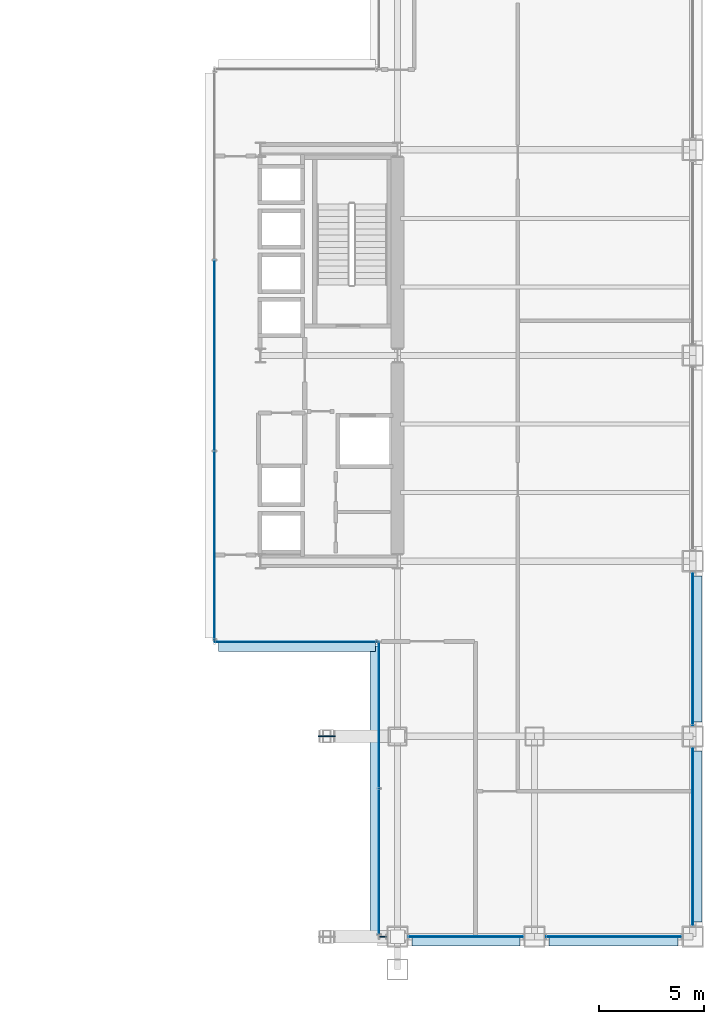
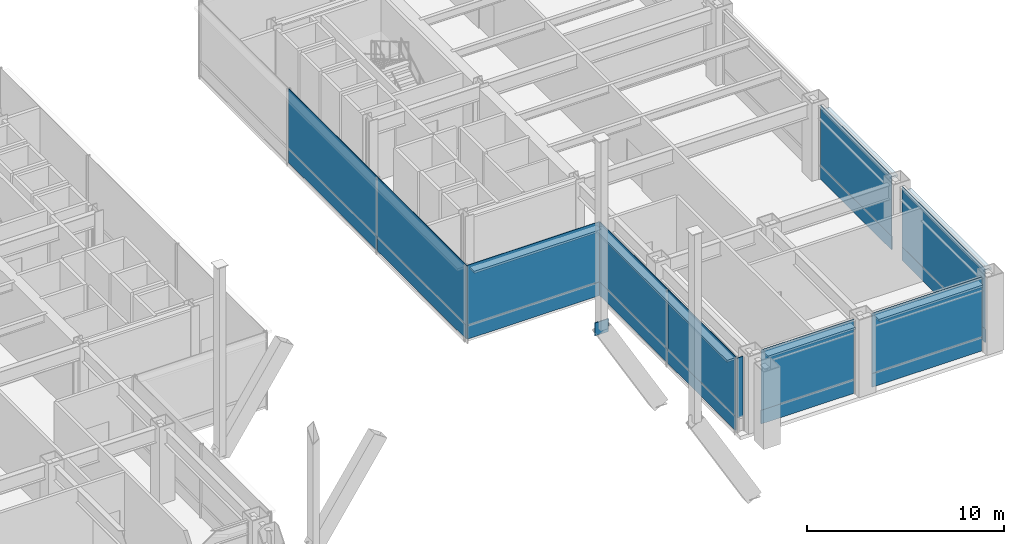
# One storey, part 29 of 40: 26 plates, 8 elements without a shape of their own.
"""IFC4 building model written with IfcOpenShell, lengths in metres."""

from ifc_helpers import new_model, si_unit, direction, frame, origin, origin_2d, place, context, subcontext, project, spatial, rectangle, extrude, material, layer, layer_set, type_object, element, aggregate, save


model = new_model("IFC4")

# Units and contexts
model_context = context("Model", 3, precision=1e-05, world=origin(), true_north=direction((0.0, 1.0)))
body_context = subcontext(model_context, "Body", "Model", "MODEL_VIEW")
ifc_project = project(units=[si_unit("LENGTHUNIT", "METRE"), si_unit("AREAUNIT", "SQUARE_METRE"), si_unit("VOLUMEUNIT", "CUBIC_METRE"), si_unit("PLANEANGLEUNIT", "RADIAN"), si_unit("MASSUNIT", "GRAM", prefix="KILO")], contexts=[model_context])

# Site, building, storey
site_placement = place(None, origin())
site = spatial("IfcSite", under=ifc_project, at=site_placement, CompositionType="ELEMENT")
building_placement = place(site_placement, origin())
building = spatial("IfcBuilding", under=site, at=building_placement, Name="Brelmoor Portico Tower", CompositionType="ELEMENT")
storey_placement = place(building_placement, frame((0.0, 0.0, 4.800048828125)))
storey = spatial("IfcBuildingStorey", under=building, at=storey_placement, Name="L01", CompositionType="ELEMENT", Elevation=4.800048828125)

# Curtain wall, plate
ifc_material_1 = material(Name="Anodised Aluminium Alloy 6063-T6", Category="aluminium")
ifc_layer_1 = layer(ifc_material_1, 0.179931640625)
ifc_layer_set_1 = layer_set([ifc_layer_1], Name="Anodised Aluminium Alloy 6063-T6")
curtain_wall_type = type_object("IfcCurtainWallType", Name="CW-PODIUM-ARCH", PredefinedType="NOTDEFINED", material=ifc_layer_set_1)
curtain_wall_1_placement = place(storey_placement, origin())
curtain_wall_1 = element("IfcCurtainWall", 1, at=curtain_wall_1_placement, inside=storey, type_object=curtain_wall_type, Name="L01 Curtain Wall CW-L01-02-1", PredefinedType="NOTDEFINED")
ifc_material_2 = material(Name="Double-Silver Low-E Insulated Glazing", Category="glass")
ifc_layer_2 = layer(ifc_material_2, 0.035888671875)
ifc_layer_set_2 = layer_set([ifc_layer_2], Name="Double-Silver Low-E Insulated Glazing")
plate_type_1 = type_object("IfcPlateType", Name="PT-CW-GLASS", PredefinedType="CURTAIN_PANEL", material=ifc_layer_set_2)
plate_1_placement = place(storey_placement, frame((13.860107421875, -27.550048828125, 0.849853515625), z_axis=(0.0, 0.0, 1.0), x_axis=(1.0, 0.0, 0.0)))
plate_1 = element("IfcPlate", 2, at=plate_1_placement, type_object=plate_type_1, Name="CW-L01-02-1 Vision Glass Panel 00", PredefinedType="CURTAIN_PANEL", context=body_context, shape_type="SweptSolid", body=[
    extrude(rectangle(XDim=0.330078125, YDim=0.035888671875, at=origin_2d()), origin(), (0.0, 0.0, 1.0), 3.72998046875),
])
aggregate(curtain_wall_1, [plate_1])

curtain_wall_2_placement = place(storey_placement, origin())
curtain_wall_2 = element("IfcCurtainWall", 3, at=curtain_wall_2_placement, inside=storey, type_object=curtain_wall_type, Name="L01 Curtain Wall CW-L01-02-2", PredefinedType="NOTDEFINED")
plate_2_placement = place(storey_placement, frame((17.800048828125, -27.550048828125, 0.849853515625), z_axis=(0.0, 0.0, 1.0), x_axis=(1.0, 0.0, 0.0)))
plate_2 = element("IfcPlate", 4, at=plate_2_placement, type_object=plate_type_1, Name="CW-L01-02-2 Vision Glass Panel 00", PredefinedType="CURTAIN_PANEL", context=body_context, shape_type="SweptSolid", body=[
    extrude(rectangle(XDim=5.449951171875, YDim=0.035888671875, at=origin_2d()), origin(), (0.0, 0.0, 1.0), 3.72998046875),
])

curtain_wall_3_placement = place(storey_placement, origin())
curtain_wall_3 = element("IfcCurtainWall", 5, at=curtain_wall_3_placement, inside=storey, type_object=curtain_wall_type, Name="L01 Curtain Wall CW-L01-02-3", PredefinedType="NOTDEFINED")
plate_3_placement = place(storey_placement, frame((24.800048828125, -27.550048828125, 0.849853515625), z_axis=(0.0, 0.0, 1.0), x_axis=(1.0, 0.0, 0.0)))
plate_3 = element("IfcPlate", 6, at=plate_3_placement, type_object=plate_type_1, Name="CW-L01-02-3 Vision Glass Panel 00", PredefinedType="CURTAIN_PANEL", context=body_context, shape_type="SweptSolid", body=[
    extrude(rectangle(XDim=6.449951171875, YDim=0.035888671875, at=origin_2d()), origin(), (0.0, 0.0, 1.0), 3.72998046875),
])

curtain_wall_4_placement = place(storey_placement, origin())
curtain_wall_4 = element("IfcCurtainWall", 7, at=curtain_wall_4_placement, inside=storey, type_object=curtain_wall_type, Name="L01 Curtain Wall CW-L01-06-1", PredefinedType="NOTDEFINED")
plate_4_placement = place(storey_placement, frame((28.550048828125, -22.800048828125, 0.849853515625), z_axis=(0.0, 0.0, 1.0), x_axis=(0.0, 1.0, 0.0)))
plate_4 = element("IfcPlate", 8, at=plate_4_placement, type_object=plate_type_1, Name="CW-L01-06-1 Vision Glass Panel 00", PredefinedType="CURTAIN_PANEL", context=body_context, shape_type="SweptSolid", body=[
    extrude(rectangle(XDim=8.449951171875, YDim=0.035888671875, at=origin_2d()), origin(), (0.0, 0.0, 1.0), 3.72998046875),
])

curtain_wall_5_placement = place(storey_placement, origin())
curtain_wall_5 = element("IfcCurtainWall", 9, at=curtain_wall_5_placement, inside=storey, type_object=curtain_wall_type, Name="L01 Curtain Wall CW-L01-06-2", PredefinedType="NOTDEFINED")
plate_5_placement = place(storey_placement, frame((28.550048828125, -13.89990234375, 0.849853515625), z_axis=(0.0, 0.0, 1.0), x_axis=(0.0, 1.0, 0.0)))
plate_5 = element("IfcPlate", 10, at=plate_5_placement, type_object=plate_type_1, Name="CW-L01-06-2 Vision Glass Panel 00", PredefinedType="CURTAIN_PANEL", context=body_context, shape_type="SweptSolid", body=[
    extrude(rectangle(XDim=7.25, YDim=0.035888671875, at=origin_2d()), origin(), (0.0, 0.0, 1.0), 3.72998046875),
])

# Curtain wall, plates
curtain_wall_6_placement = place(storey_placement, origin())
curtain_wall_6 = element("IfcCurtainWall", 11, at=curtain_wall_6_placement, inside=storey, type_object=curtain_wall_type, Name="L01 Curtain Wall CW-L01-08", PredefinedType="NOTDEFINED")
plate_6_placement = place(storey_placement, frame((13.679931640625, -23.982421875, 0.849853515625), z_axis=(0.0, 0.0, 1.0), x_axis=(0.0, 1.0, 0.0)))
plate_6 = element("IfcPlate", 12, at=plate_6_placement, type_object=plate_type_1, Name="CW-L01-08 Vision Glass Panel 00", PredefinedType="CURTAIN_PANEL", context=body_context, shape_type="SweptSolid", body=[
    extrude(rectangle(XDim=6.905029296875, YDim=0.035888671875, at=origin_2d()), origin(), (0.0, 0.0, 1.0), 3.72998046875),
])
plate_7_placement = place(storey_placement, frame((13.679931640625, -17.047607421875, 0.849853515625), z_axis=(0.0, 0.0, 1.0), x_axis=(0.0, 1.0, 0.0)))
plate_7 = element("IfcPlate", 13, at=plate_7_placement, type_object=plate_type_1, Name="CW-L01-08 Vision Glass Panel 01", PredefinedType="CURTAIN_PANEL", context=body_context, shape_type="SweptSolid", body=[
    extrude(rectangle(XDim=6.905029296875, YDim=0.035888671875, at=origin_2d()), origin(), (0.0, 0.0, 1.0), 3.72998046875),
])

# Curtain wall, plate
curtain_wall_7_placement = place(storey_placement, origin())
curtain_wall_7 = element("IfcCurtainWall", 14, at=curtain_wall_7_placement, inside=storey, type_object=curtain_wall_type, Name="L01 Curtain Wall CW-L01-12", PredefinedType="NOTDEFINED")
plate_8_placement = place(storey_placement, frame((9.780029296875, -13.580078125, 0.849853515625), z_axis=(0.0, 0.0, 1.0), x_axis=(1.0, 0.0, 0.0)))
plate_8 = element("IfcPlate", 15, at=plate_8_placement, type_object=plate_type_1, Name="CW-L01-12 Vision Glass Panel 00", PredefinedType="CURTAIN_PANEL", context=body_context, shape_type="SweptSolid", body=[
    extrude(rectangle(XDim=7.77001953125, YDim=0.035888671875, at=origin_2d()), origin(), (0.0, 0.0, 1.0), 3.72998046875),
])

# Curtain wall, plates
curtain_wall_8_placement = place(storey_placement, origin())
curtain_wall_8 = element("IfcCurtainWall", 16, at=curtain_wall_8_placement, inside=storey, type_object=curtain_wall_type, Name="L01 Curtain Wall CW-L01-16", PredefinedType="NOTDEFINED")
plate_9_placement = place(storey_placement, frame((5.8798828125, -9.05322265625, 0.849853515625), z_axis=(0.0, 0.0, 1.0), x_axis=(0.0, 1.0, 0.0)))
plate_9 = element("IfcPlate", 17, at=plate_9_placement, type_object=plate_type_1, Name="CW-L01-16 Vision Glass Panel 00", PredefinedType="CURTAIN_PANEL", context=body_context, shape_type="SweptSolid", body=[
    extrude(rectangle(XDim=9.023193359375, YDim=0.035888671875, at=origin_2d()), origin(), (0.0, 0.0, 1.0), 3.72998046875),
])
plate_10_placement = place(storey_placement, frame((5.8798828125, 0.0, 0.849853515625), z_axis=(0.0, 0.0, 1.0), x_axis=(0.0, 1.0, 0.0)))
plate_10 = element("IfcPlate", 18, at=plate_10_placement, type_object=plate_type_1, Name="CW-L01-16 Vision Glass Panel 01", PredefinedType="CURTAIN_PANEL", context=body_context, shape_type="SweptSolid", body=[
    extrude(rectangle(XDim=9.023193359375, YDim=0.035888671875, at=origin_2d()), origin(), (0.0, 0.0, 1.0), 3.72998046875),
])

# Plate
ifc_material_3 = material(Name="Pale Champagne Anodised Aluminium Panel", Category="aluminium")
ifc_layer_3 = layer(ifc_material_3, 0.050048828125)
ifc_layer_set_3 = layer_set([ifc_layer_3], Name="Pale Champagne Anodised Aluminium Panel")
plate_type_2 = type_object("IfcPlateType", Name="PT-CW-SPANDREL", PredefinedType="SHEET", material=ifc_layer_set_3)
plate_11_placement = place(storey_placement, frame((17.800048828125, -27.550048828125, 0.0), z_axis=(0.0, 0.0, 1.0), x_axis=(1.0, 0.0, 0.0)))
plate_11 = element("IfcPlate", 19, at=plate_11_placement, type_object=plate_type_2, Name="CW-L01-02-2 Spandrel Panel 00", PredefinedType="SHEET", context=body_context, shape_type="SweptSolid", body=[
    extrude(rectangle(XDim=5.449951171875, YDim=0.050048828125, at=origin_2d()), origin(), (0.0, 0.0, 1.0), 0.85009765625),
])

aggregate(curtain_wall_2, [plate_11, plate_2])

plate_12_placement = place(storey_placement, frame((24.800048828125, -27.550048828125, 0.0), z_axis=(0.0, 0.0, 1.0), x_axis=(1.0, 0.0, 0.0)))
plate_12 = element("IfcPlate", 20, at=plate_12_placement, type_object=plate_type_2, Name="CW-L01-02-3 Spandrel Panel 00", PredefinedType="SHEET", context=body_context, shape_type="SweptSolid", body=[
    extrude(rectangle(XDim=6.449951171875, YDim=0.050048828125, at=origin_2d()), origin(), (0.0, 0.0, 1.0), 0.85009765625),
])

aggregate(curtain_wall_3, [plate_12, plate_3])

plate_13_placement = place(storey_placement, frame((28.550048828125, -22.800048828125, 0.0), z_axis=(0.0, 0.0, 1.0), x_axis=(0.0, 1.0, 0.0)))
plate_13 = element("IfcPlate", 21, at=plate_13_placement, type_object=plate_type_2, Name="CW-L01-06-1 Spandrel Panel 00", PredefinedType="SHEET", context=body_context, shape_type="SweptSolid", body=[
    extrude(rectangle(XDim=8.449951171875, YDim=0.050048828125, at=origin_2d()), origin(), (0.0, 0.0, 1.0), 0.85009765625),
])

aggregate(curtain_wall_4, [plate_13, plate_4])

plate_14_placement = place(storey_placement, frame((28.550048828125, -13.89990234375, 0.0), z_axis=(0.0, 0.0, 1.0), x_axis=(0.0, 1.0, 0.0)))
plate_14 = element("IfcPlate", 22, at=plate_14_placement, type_object=plate_type_2, Name="CW-L01-06-2 Spandrel Panel 00", PredefinedType="SHEET", context=body_context, shape_type="SweptSolid", body=[
    extrude(rectangle(XDim=7.25, YDim=0.050048828125, at=origin_2d()), origin(), (0.0, 0.0, 1.0), 0.85009765625),
])

aggregate(curtain_wall_5, [plate_14, plate_5])

plate_15_placement = place(storey_placement, frame((13.679931640625, -23.982421875, 0.0), z_axis=(0.0, 0.0, 1.0), x_axis=(0.0, 1.0, 0.0)))
plate_15 = element("IfcPlate", 23, at=plate_15_placement, type_object=plate_type_2, Name="CW-L01-08 Spandrel Panel 00", PredefinedType="SHEET", context=body_context, shape_type="SweptSolid", body=[
    extrude(rectangle(XDim=6.905029296875, YDim=0.050048828125, at=origin_2d()), origin(), (0.0, 0.0, 1.0), 0.85009765625),
])

plate_16_placement = place(storey_placement, frame((13.679931640625, -17.047607421875, 0.0), z_axis=(0.0, 0.0, 1.0), x_axis=(0.0, 1.0, 0.0)))
plate_16 = element("IfcPlate", 24, at=plate_16_placement, type_object=plate_type_2, Name="CW-L01-08 Spandrel Panel 01", PredefinedType="SHEET", context=body_context, shape_type="SweptSolid", body=[
    extrude(rectangle(XDim=6.905029296875, YDim=0.050048828125, at=origin_2d()), origin(), (0.0, 0.0, 1.0), 0.85009765625),
])

aggregate(curtain_wall_6, [plate_15, plate_6, plate_16, plate_7])

plate_17_placement = place(storey_placement, frame((9.780029296875, -13.580078125, 0.0), z_axis=(0.0, 0.0, 1.0), x_axis=(1.0, 0.0, 0.0)))
plate_17 = element("IfcPlate", 25, at=plate_17_placement, type_object=plate_type_2, Name="CW-L01-12 Spandrel Panel 00", PredefinedType="SHEET", context=body_context, shape_type="SweptSolid", body=[
    extrude(rectangle(XDim=7.77001953125, YDim=0.050048828125, at=origin_2d()), origin(), (0.0, 0.0, 1.0), 0.85009765625),
])

aggregate(curtain_wall_7, [plate_17, plate_8])

plate_18_placement = place(storey_placement, frame((5.8798828125, -9.05322265625, 0.0), z_axis=(0.0, 0.0, 1.0), x_axis=(0.0, 1.0, 0.0)))
plate_18 = element("IfcPlate", 26, at=plate_18_placement, type_object=plate_type_2, Name="CW-L01-16 Spandrel Panel 00", PredefinedType="SHEET", context=body_context, shape_type="SweptSolid", body=[
    extrude(rectangle(XDim=9.023193359375, YDim=0.050048828125, at=origin_2d()), origin(), (0.0, 0.0, 1.0), 0.85009765625),
])

plate_19_placement = place(storey_placement, frame((5.8798828125, 0.0, 0.0), z_axis=(0.0, 0.0, 1.0), x_axis=(0.0, 1.0, 0.0)))
plate_19 = element("IfcPlate", 27, at=plate_19_placement, type_object=plate_type_2, Name="CW-L01-16 Spandrel Panel 01", PredefinedType="SHEET", context=body_context, shape_type="SweptSolid", body=[
    extrude(rectangle(XDim=9.023193359375, YDim=0.050048828125, at=origin_2d()), origin(), (0.0, 0.0, 1.0), 0.85009765625),
])

aggregate(curtain_wall_8, [plate_18, plate_9, plate_19, plate_10])

# Plates
ifc_material_4 = material(Name="Steel Q355B", Category="steel")
ifc_layer_4 = layer(ifc_material_4, 0.050048828125)
ifc_layer_set_4 = layer_set([ifc_layer_4], Name="Steel Q355B")
plate_type_3 = type_object("IfcPlateType", Name="PT-GUSSET-800", PredefinedType="USERDEFINED", material=ifc_layer_set_4)
plate_20_placement = place(storey_placement, frame((11.199951171875, -18.050048828125, 1.19970703125), z_axis=(0.0, 0.0, 1.0), x_axis=(1.0, 0.0, 0.0)))
element("IfcPlate", 28, at=plate_20_placement, inside=storey, type_object=plate_type_3, Name="Portico Arch Gusset Plate S2-7", ObjectType="GUSSET PLATE", PredefinedType="USERDEFINED", context=body_context, shape_type="SweptSolid", body=[
    extrude(rectangle(XDim=0.800048828125, YDim=0.050048828125, at=origin_2d()), origin(), (0.0, 0.0, 1.0), 0.800048828125),
])
ifc_material_5 = material(Name="Pale Champagne Perforated Aluminium Solar Screen", Category="aluminium")
ifc_layer_5 = layer(ifc_material_5, 0.054931640625)
ifc_layer_set_5 = layer_set([ifc_layer_5], Name="Pale Champagne Perforated Aluminium Solar Screen")
plate_type_4 = type_object("IfcPlateType", Name="PT-SOLAR-LOUVRE", PredefinedType="SHEET", material=ifc_layer_set_5)
plate_21_placement = place(storey_placement, frame((17.800048828125, -27.760009765625, 4.27001953125), z_axis=(0.0, 0.0, 1.0), x_axis=(1.0, 0.0, 0.0)))
element("IfcPlate", 29, at=plate_21_placement, inside=storey, type_object=plate_type_4, Name="CW-L01-02-2 Caribbean Brise-Soleil Solar Screen", PredefinedType="SHEET", context=body_context, shape_type="SweptSolid", body=[
    extrude(rectangle(XDim=5.1201171875, YDim=0.4599609375, at=origin_2d()), origin(), (0.0, 0.0, 1.0), 0.139892578125),
])
plate_22_placement = place(storey_placement, frame((24.800048828125, -27.760009765625, 4.27001953125), z_axis=(0.0, 0.0, 1.0), x_axis=(1.0, 0.0, 0.0)))
element("IfcPlate", 30, at=plate_22_placement, inside=storey, type_object=plate_type_4, Name="CW-L01-02-3 Caribbean Brise-Soleil Solar Screen", PredefinedType="SHEET", context=body_context, shape_type="SweptSolid", body=[
    extrude(rectangle(XDim=6.1201171875, YDim=0.4599609375, at=origin_2d()), origin(), (0.0, 0.0, 1.0), 0.139892578125),
])
plate_23_placement = place(storey_placement, frame((28.760009765625, -22.800048828125, 4.27001953125), z_axis=(0.0, 0.0, 1.0), x_axis=(0.0, 1.0, 0.0)))
element("IfcPlate", 31, at=plate_23_placement, inside=storey, type_object=plate_type_4, Name="CW-L01-06-1 Caribbean Brise-Soleil Solar Screen", PredefinedType="SHEET", context=body_context, shape_type="SweptSolid", body=[
    extrude(rectangle(XDim=8.1201171875, YDim=0.4599609375, at=origin_2d()), origin(), (0.0, 0.0, 1.0), 0.139892578125),
])
plate_24_placement = place(storey_placement, frame((28.760009765625, -13.89990234375, 4.27001953125), z_axis=(0.0, 0.0, 1.0), x_axis=(0.0, 1.0, 0.0)))
element("IfcPlate", 32, at=plate_24_placement, inside=storey, type_object=plate_type_4, Name="CW-L01-06-2 Caribbean Brise-Soleil Solar Screen", PredefinedType="SHEET", context=body_context, shape_type="SweptSolid", body=[
    extrude(rectangle(XDim=6.919921875, YDim=0.4599609375, at=origin_2d()), origin(), (0.0, 0.0, 1.0), 0.139892578125),
])
plate_25_placement = place(storey_placement, frame((13.469970703125, -20.514892578125, 4.27001953125), z_axis=(0.0, 0.0, 1.0), x_axis=(0.0, 1.0, 0.0)))
element("IfcPlate", 33, at=plate_25_placement, inside=storey, type_object=plate_type_4, Name="CW-L01-08 Caribbean Brise-Soleil Solar Screen", PredefinedType="SHEET", context=body_context, shape_type="SweptSolid", body=[
    extrude(rectangle(XDim=13.510009765625, YDim=0.4599609375, at=origin_2d()), origin(), (0.0, 0.0, 1.0), 0.139892578125),
])
plate_26_placement = place(storey_placement, frame((9.780029296875, -13.7900390625, 4.27001953125), z_axis=(0.0, 0.0, 1.0), x_axis=(1.0, 0.0, 0.0)))
element("IfcPlate", 34, at=plate_26_placement, inside=storey, type_object=plate_type_4, Name="CW-L01-12 Caribbean Brise-Soleil Solar Screen", PredefinedType="SHEET", context=body_context, shape_type="SweptSolid", body=[
    extrude(rectangle(XDim=7.43994140625, YDim=0.4599609375, at=origin_2d()), origin(), (0.0, 0.0, 1.0), 0.139892578125),
])

save(model, "model.ifc")
